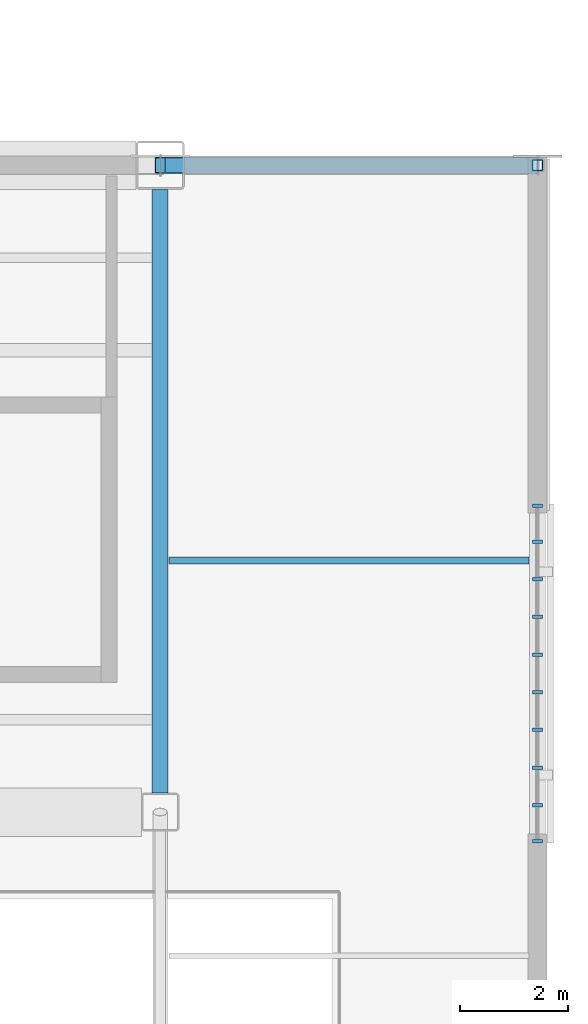
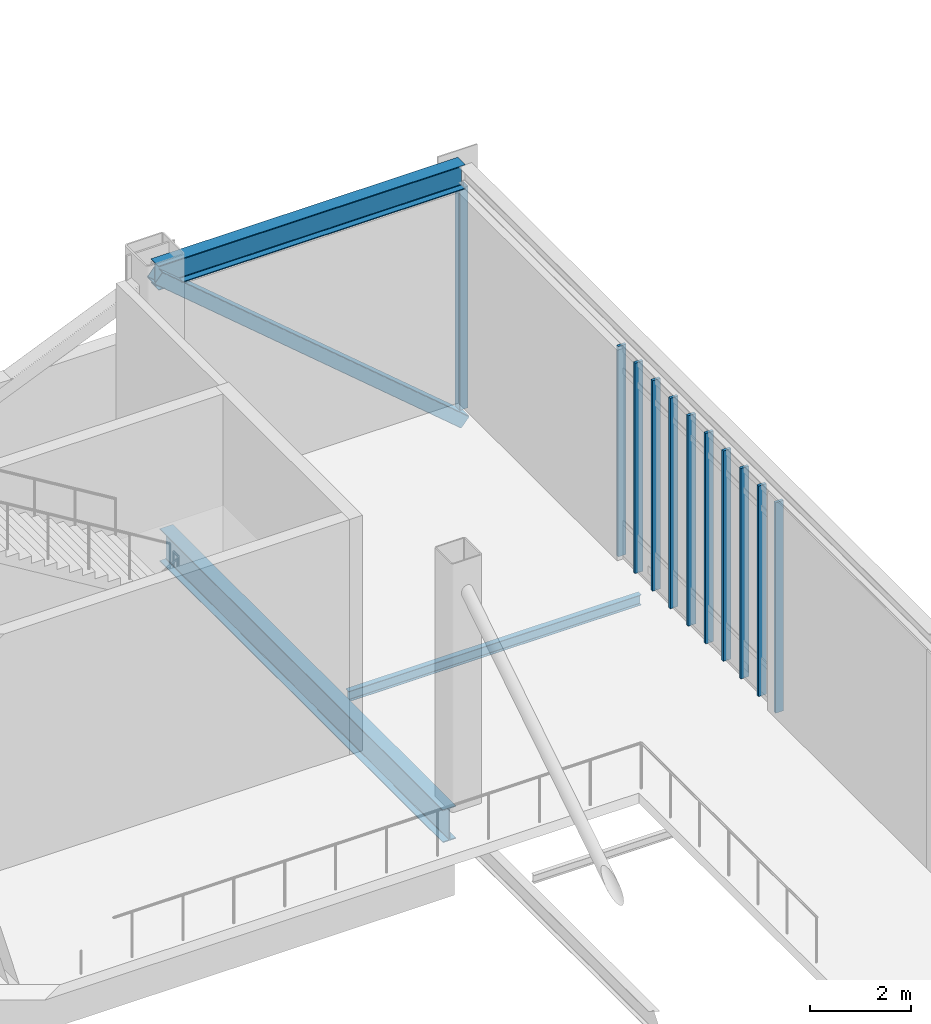
# One storey, part 40 of 135: 12 members, 3 beams, 1 element without a shape of its own.
"""IFC4 building model written with IfcOpenShell, lengths in metres."""

from ifc_helpers import new_model, si_unit, direction, frame, origin, origin_2d, place, context, subcontext, project, spatial, rectangle, hollow_rectangle, i_section, extrude, material, material_profile, profile_set, type_object, element, aggregate, save


model = new_model("IFC4")

# Units and contexts
model_context = context("Model", 3, precision=1e-05, world=origin(), true_north=direction((0.0, 1.0)))
body_context = subcontext(model_context, "Body", "Model", "MODEL_VIEW")
ifc_project = project(units=[si_unit("LENGTHUNIT", "METRE"), si_unit("AREAUNIT", "SQUARE_METRE"), si_unit("VOLUMEUNIT", "CUBIC_METRE"), si_unit("PLANEANGLEUNIT", "RADIAN"), si_unit("MASSUNIT", "GRAM", prefix="KILO")], contexts=[model_context])

# Site, building, storey
site_placement = place(None, origin())
site = spatial("IfcSite", under=ifc_project, at=site_placement, CompositionType="ELEMENT")
building_placement = place(site_placement, origin())
building = spatial("IfcBuilding", under=site, at=building_placement, Name="Larkvane Passage Sports Hall", CompositionType="ELEMENT")
storey_placement = place(building_placement, frame((0.0, 0.0, 10.800048828125)))
storey = spatial("IfcBuildingStorey", under=building, at=storey_placement, Name="L02", CompositionType="ELEMENT", Elevation=10.800048828125)

# Beams
ifc_material_1 = material(Name="Steel S460N", Category="steel")
ifc_material_profile_1 = material_profile(ifc_material_1, i_section(OverallWidth=0.300048828125, OverallDepth=0.587890625, WebThickness=0.011962890625, FlangeThickness=0.02001953125, FilletRadius=0.02197265625, at=origin_2d()), Name="H-588x300x12x20")
ifc_profile_set_1 = profile_set([ifc_material_profile_1], Name="Steel S460N")
beam_type_1 = type_object("IfcBeamType", Name="BM-STL-H588", PredefinedType="BEAM", material=ifc_profile_set_1)
beam_1_placement = place(storey_placement, frame((145.60009765625, 51.60009765625, 5.385986328125), z_axis=(1.0, 0.0, 0.0), x_axis=(0.0, 1.0, 0.0)))
element("IfcBeam", 1, at=beam_1_placement, inside=storey, type_object=beam_type_1, Name="Cantilever truss CT-E2A-2 top chord 2", PredefinedType="BEAM", context=body_context, shape_type="SweptSolid", body=[
    extrude(i_section(OverallWidth=0.300048828125, OverallDepth=0.587890625, WebThickness=0.011962890625, FlangeThickness=0.02001953125, FilletRadius=0.02197265625, at=origin_2d()), origin(), (0.0, 0.0, 1.0), 7.0),
])
ifc_material_profile_2 = material_profile(ifc_material_1, i_section(OverallWidth=0.300048828125, OverallDepth=0.7919921875, WebThickness=0.013916015625, FlangeThickness=0.02197265625, FilletRadius=0.02197265625, at=origin_2d()), Name="H-792x300x14x22")
ifc_profile_set_2 = profile_set([ifc_material_profile_2], Name="Steel S460N")
beam_type_2 = type_object("IfcBeamType", Name="BM-STL-H792", PredefinedType="BEAM", material=ifc_profile_set_2)
beam_2_placement = place(storey_placement, frame((145.60009765625, 39.949951171875, -0.816162109375), z_axis=(0.0, 1.0, 0.0), x_axis=(-1.0, 0.0, 0.0)))
element("IfcBeam", 2, at=beam_2_placement, inside=storey, type_object=beam_type_2, Name="Girder BM5-Y-L02-19-0792", PredefinedType="BEAM", context=body_context, shape_type="SweptSolid", body=[
    extrude(i_section(OverallWidth=0.300048828125, OverallDepth=0.7919921875, WebThickness=0.013916015625, FlangeThickness=0.02197265625, FilletRadius=0.02197265625, at=origin_2d()), origin(), (0.0, 0.0, 1.0), 11.199951171875),
])

# Curtain wall, members
ifc_material_2 = material(Name="Thermally broken aluminium and low-E glazing", Category="aluminium")
curtain_wall_type = type_object("IfcCurtainWallType", Name="CW-UNIT-COURT", PredefinedType="USERDEFINED", material=ifc_material_2)
curtain_wall_placement = place(storey_placement, origin())
curtain_wall = element("IfcCurtainWall", 3, at=curtain_wall_placement, inside=storey, type_object=curtain_wall_type, Name="Curtain wall CW5-L02-072", ObjectType="UNITISED CURTAIN WALL", PredefinedType="USERDEFINED")
ifc_material_3 = material(Name="Anodised aluminium 6063-T6", Category="aluminium")
ifc_material_profile_3 = material_profile(ifc_material_3, rectangle(XDim=0.06494140625, YDim=0.179931640625, at=origin_2d()), Name="ALU-MUL-65x180")
ifc_profile_set_3 = profile_set([ifc_material_profile_3], Name="Anodised aluminium 6063-T6")
member_type_1 = type_object("IfcMemberType", Name="CW-MUL-65x180", PredefinedType="MULLION", material=ifc_profile_set_3)
member_1_placement = place(storey_placement, frame((152.60009765625, 45.28173828125, 0.0), z_axis=(0.0, 0.0, 1.0), x_axis=(0.0, -1.0, 0.0)))
member_1 = element("IfcMember", 4, at=member_1_placement, type_object=member_type_1, Name="CW-01 mullion 1", PredefinedType="MULLION", context=body_context, shape_type="SweptSolid", body=[
    extrude(rectangle(XDim=0.06494140625, YDim=0.179931640625, at=origin_2d()), origin(), (0.0, 0.0, 1.0), 5.079833984375),
])
member_2_placement = place(storey_placement, frame((152.60009765625, 44.615966796875, 0.0), z_axis=(0.0, 0.0, 1.0), x_axis=(0.0, -1.0, 0.0)))
member_2 = element("IfcMember", 5, at=member_2_placement, type_object=member_type_1, Name="CW-01 mullion 2", PredefinedType="MULLION", context=body_context, shape_type="SweptSolid", body=[
    extrude(rectangle(XDim=0.06494140625, YDim=0.179931640625, at=origin_2d()), origin(), (0.0, 0.0, 1.0), 5.079833984375),
])
member_3_placement = place(storey_placement, frame((152.60009765625, 43.91748046875, 0.0), z_axis=(0.0, 0.0, 1.0), x_axis=(0.0, -1.0, 0.0)))
member_3 = element("IfcMember", 6, at=member_3_placement, type_object=member_type_1, Name="CW-01 mullion 3", PredefinedType="MULLION", context=body_context, shape_type="SweptSolid", body=[
    extrude(rectangle(XDim=0.06494140625, YDim=0.179931640625, at=origin_2d()), origin(), (0.0, 0.0, 1.0), 5.079833984375),
])
member_4_placement = place(storey_placement, frame((152.60009765625, 43.218994140625, 0.0), z_axis=(0.0, 0.0, 1.0), x_axis=(0.0, -1.0, 0.0)))
member_4 = element("IfcMember", 7, at=member_4_placement, type_object=member_type_1, Name="CW-01 mullion 4", PredefinedType="MULLION", context=body_context, shape_type="SweptSolid", body=[
    extrude(rectangle(XDim=0.06494140625, YDim=0.179931640625, at=origin_2d()), origin(), (0.0, 0.0, 1.0), 5.079833984375),
])
member_5_placement = place(storey_placement, frame((152.60009765625, 42.520751953125, 0.0), z_axis=(0.0, 0.0, 1.0), x_axis=(0.0, -1.0, 0.0)))
member_5 = element("IfcMember", 8, at=member_5_placement, type_object=member_type_1, Name="CW-01 mullion 5", PredefinedType="MULLION", context=body_context, shape_type="SweptSolid", body=[
    extrude(rectangle(XDim=0.06494140625, YDim=0.179931640625, at=origin_2d()), origin(), (0.0, 0.0, 1.0), 5.079833984375),
])
member_6_placement = place(storey_placement, frame((152.60009765625, 41.822265625, 0.0), z_axis=(0.0, 0.0, 1.0), x_axis=(0.0, -1.0, 0.0)))
member_6 = element("IfcMember", 9, at=member_6_placement, type_object=member_type_1, Name="CW-01 mullion 6", PredefinedType="MULLION", context=body_context, shape_type="SweptSolid", body=[
    extrude(rectangle(XDim=0.06494140625, YDim=0.179931640625, at=origin_2d()), origin(), (0.0, 0.0, 1.0), 5.079833984375),
])
member_7_placement = place(storey_placement, frame((152.60009765625, 41.123779296875, 0.0), z_axis=(0.0, 0.0, 1.0), x_axis=(0.0, -1.0, 0.0)))
member_7 = element("IfcMember", 10, at=member_7_placement, type_object=member_type_1, Name="CW-01 mullion 7", PredefinedType="MULLION", context=body_context, shape_type="SweptSolid", body=[
    extrude(rectangle(XDim=0.06494140625, YDim=0.179931640625, at=origin_2d()), origin(), (0.0, 0.0, 1.0), 5.079833984375),
])
member_8_placement = place(storey_placement, frame((152.60009765625, 40.425537109375, 0.0), z_axis=(0.0, 0.0, 1.0), x_axis=(0.0, -1.0, 0.0)))
member_8 = element("IfcMember", 11, at=member_8_placement, type_object=member_type_1, Name="CW-01 mullion 8", PredefinedType="MULLION", context=body_context, shape_type="SweptSolid", body=[
    extrude(rectangle(XDim=0.06494140625, YDim=0.179931640625, at=origin_2d()), origin(), (0.0, 0.0, 1.0), 5.079833984375),
])
member_9_placement = place(storey_placement, frame((152.60009765625, 39.72705078125, 0.0), z_axis=(0.0, 0.0, 1.0), x_axis=(0.0, -1.0, 0.0)))
member_9 = element("IfcMember", 12, at=member_9_placement, type_object=member_type_1, Name="CW-01 mullion 9", PredefinedType="MULLION", context=body_context, shape_type="SweptSolid", body=[
    extrude(rectangle(XDim=0.06494140625, YDim=0.179931640625, at=origin_2d()), origin(), (0.0, 0.0, 1.0), 5.079833984375),
])
member_10_placement = place(storey_placement, frame((152.60009765625, 39.06103515625, 0.0), z_axis=(0.0, 0.0, 1.0), x_axis=(0.0, -1.0, 0.0)))
member_10 = element("IfcMember", 13, at=member_10_placement, type_object=member_type_1, Name="CW-01 mullion 10", PredefinedType="MULLION", context=body_context, shape_type="SweptSolid", body=[
    extrude(rectangle(XDim=0.06494140625, YDim=0.179931640625, at=origin_2d()), origin(), (0.0, 0.0, 1.0), 5.079833984375),
])
aggregate(curtain_wall, [member_1, member_2, member_3, member_4, member_5, member_6, member_7, member_8, member_9, member_10])

# Beam
ifc_material_4 = material(Name="Steel S355JR", Category="steel")
ifc_material_profile_4 = material_profile(ifc_material_4, i_section(OverallWidth=0.125, OverallDepth=0.25, WebThickness=0.006103515625, FlangeThickness=0.009033203125, FilletRadius=0.008056640625, at=origin_2d()), Name="H-250x125x6x9")
ifc_profile_set_4 = profile_set([ifc_material_profile_4], Name="Steel S355JR")
beam_type_3 = type_object("IfcBeamType", Name="JST-STL-H250", PredefinedType="JOIST", material=ifc_profile_set_4)
beam_3_placement = place(storey_placement, frame((145.760009765625, 44.2666015625, -0.375), z_axis=(1.0, 0.0, 0.0), x_axis=(0.0, 1.0, 0.0)))
element("IfcBeam", 14, at=beam_3_placement, inside=storey, type_object=beam_type_3, Name="Cantilever floor joist CT-E2A--2-5", PredefinedType="JOIST", context=body_context, shape_type="SweptSolid", body=[
    extrude(i_section(OverallWidth=0.125, OverallDepth=0.25, WebThickness=0.006103515625, FlangeThickness=0.009033203125, FilletRadius=0.008056640625, at=origin_2d()), origin(), (0.0, 0.0, 1.0), 6.679931640625),
])

# Members
ifc_material_profile_5 = material_profile(ifc_material_1, hollow_rectangle(XDim=0.300048828125, YDim=0.300048828125, WallThickness=0.011962890625, InnerFilletRadius=0.011962890625, OuterFilletRadius=0.02392578125, at=origin_2d()), Name="SHS-300x300x12")
ifc_profile_set_5 = profile_set([ifc_material_profile_5], Name="Steel S460N")
member_type_2 = type_object("IfcMemberType", Name="MBR-BR-SHS300", PredefinedType="BRACE", material=ifc_profile_set_5)
member_11_placement = place(storey_placement, frame((145.60009765625, 51.60009765625, 5.385986328125), z_axis=(0.76301772338, 0.0, -0.64637756289), x_axis=(0.0, 1.0, 0.0)))
element("IfcMember", 15, at=member_11_placement, inside=storey, type_object=member_type_2, Name="Cantilever truss CT-E2A-2 web diagonal 2", PredefinedType="BRACE", context=body_context, shape_type="SweptSolid", body=[
    extrude(hollow_rectangle(XDim=0.300048828125, YDim=0.300048828125, WallThickness=0.011962890625, InnerFilletRadius=0.011962890625, OuterFilletRadius=0.02392578125, at=origin_2d()), origin(), (0.0, 0.0, 1.0), 9.174072265625),
])
ifc_material_profile_6 = material_profile(ifc_material_1, hollow_rectangle(XDim=0.199951171875, YDim=0.199951171875, WallThickness=0.009033203125, InnerFilletRadius=0.009033203125, OuterFilletRadius=0.01806640625, at=origin_2d()), Name="SHS-200x200x9")
ifc_profile_set_6 = profile_set([ifc_material_profile_6], Name="Steel S460N")
member_type_3 = type_object("IfcMemberType", Name="MBR-ST-SHS200", PredefinedType="STRUT", material=ifc_profile_set_6)
member_12_placement = place(storey_placement, frame((152.60009765625, 51.60009765625, -0.25), z_axis=(0.0, 0.0, 1.0), x_axis=(1.0, 0.0, 0.0)))
element("IfcMember", 16, at=member_12_placement, inside=storey, type_object=member_type_3, Name="Cantilever truss CT-E2A-2 vertical post 3", PredefinedType="STRUT", context=body_context, shape_type="SweptSolid", body=[
    extrude(hollow_rectangle(XDim=0.199951171875, YDim=0.199951171875, WallThickness=0.009033203125, InnerFilletRadius=0.009033203125, OuterFilletRadius=0.01806640625, at=origin_2d()), origin(), (0.0, 0.0, 1.0), 5.342041015625),
])

save(model, "model.ifc")
